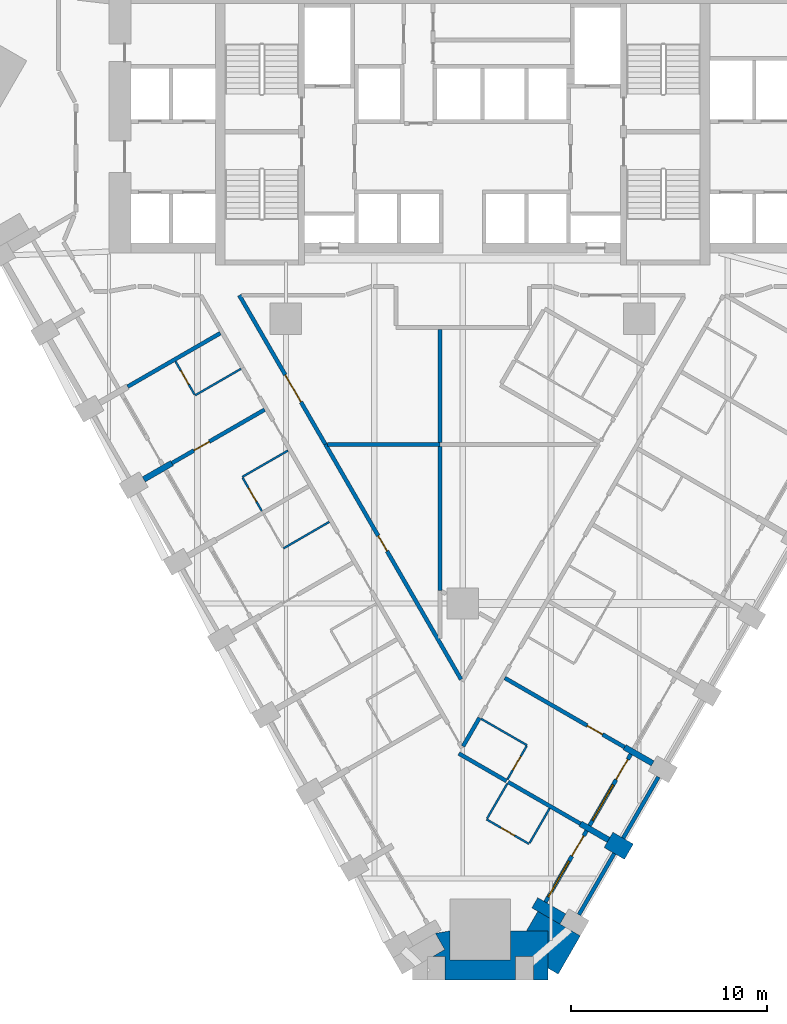
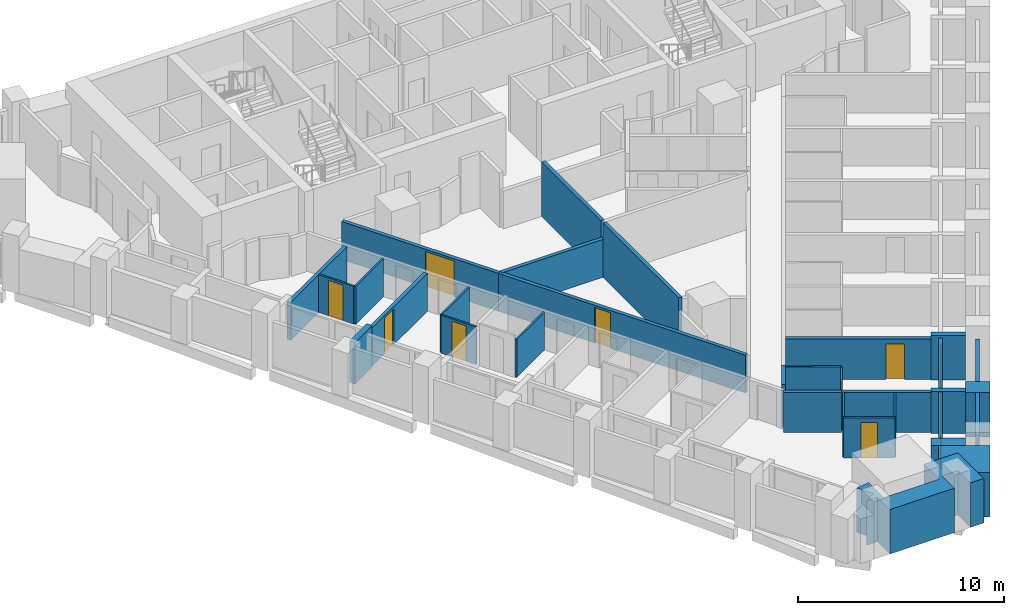
# One storey, part 4 of 12: 32 walls, 10 doors, 2 windows, 12 openings.
"""IFC4 building model written with IfcOpenShell, lengths in metres."""

from ifc_helpers import new_model, si_unit, direction, frame, frame_2d, origin, place, context, subcontext, project, spatial, polyline, rectangle, outline, extrude, material, layer, layer_set, type_object, element, fill, save


model = new_model("IFC4")

# Units and contexts
model_context = context("Model", 3, precision=1e-05, world=origin(), true_north=direction((0.0, 1.0)))
body_context = subcontext(model_context, "Body", "Model", "MODEL_VIEW")
ifc_project = project(units=[si_unit("LENGTHUNIT", "METRE"), si_unit("AREAUNIT", "SQUARE_METRE"), si_unit("VOLUMEUNIT", "CUBIC_METRE"), si_unit("PLANEANGLEUNIT", "RADIAN"), si_unit("MASSUNIT", "GRAM", prefix="KILO")], contexts=[model_context])

# Site, building, storey
site_placement = place(None, origin())
site = spatial("IfcSite", under=ifc_project, at=site_placement, CompositionType="ELEMENT")
building_placement = place(site_placement, origin())
building = spatial("IfcBuilding", under=site, at=building_placement, Name="Calabash Gate Tower", CompositionType="ELEMENT")
storey_placement = place(building_placement, frame((0.0, 0.0, 80.0)))
storey = spatial("IfcBuildingStorey", under=building, at=storey_placement, Name="L16", CompositionType="ELEMENT", Elevation=80.0)

# Walls
ifc_material_1 = material(Name="Terracotta brick masonry, exposed face", Category="masonry")
ifc_layer_1 = layer(ifc_material_1, 2.5)
ifc_layer_set_1 = layer_set([ifc_layer_1], Name="Brick corner mass wall 2500")
wall_type_1 = type_object("IfcWallType", Name="Brick corner mass wall 2500", PredefinedType="SOLIDWALL", material=ifc_layer_set_1)
wall_1_placement = place(storey_placement, origin())
element("IfcWall", 1, at=wall_1_placement, inside=storey, type_object=wall_type_1, Name="Brick corner pier S04 2bb", PredefinedType="SOLIDWALL", context=body_context, shape_type="SweptSolid", body=[
    extrude(outline(polyline([(-0.653076171875, -30.14599609375), (-0.653076171875, -28.673828125), (-1.388671875, -28.799560546875), (-0.912841796875, -29.6240234375), (-1.51904296875, -29.97412109375), (-0.903076171875, -29.97412109375), (-0.903076171875, -31.173828125), (2.697021484375, -31.173828125), (2.697021484375, -29.97412109375), (3.596923828125, -29.97412109375), (3.596923828125, -31.173828125), (4.34814453125, -31.173828125), (4.34814453125, -28.673828125), (2.447021484375, -28.673828125), (2.447021484375, -30.14599609375), (-0.653076171875, -30.14599609375)])), origin(), (0.0, 0.0, 1.0), 2.6298828125),
])
wall_2_placement = place(storey_placement, origin())
element("IfcWall", 2, at=wall_2_placement, inside=storey, type_object=wall_type_1, Name="Brick corner pier S04 2c", PredefinedType="SOLIDWALL", context=body_context, shape_type="SweptSolid", body=[
    extrude(outline(polyline([(5.99169921875, -28.9267578125), (3.8271484375, -27.676513671875), (3.251220703125, -28.673828125), (4.34814453125, -28.673828125), (4.34814453125, -30.573974609375), (4.86767578125, -30.8740234375), (5.99169921875, -28.9267578125)])), origin(), (0.0, 0.0, 1.0), 2.6298828125),
])
ifc_material_2 = material(Name="Terracotta brick masonry, exposed face", Category="masonry")
ifc_layer_2 = layer(ifc_material_2, 1.199951171875)
ifc_layer_set_2 = layer_set([ifc_layer_2], Name="Brick end wall 1200")
wall_type_2 = type_object("IfcWallType", Name="Brick end wall 1200", PredefinedType="SOLIDWALL", material=ifc_layer_set_2)
wall_3_placement = place(storey_placement, frame((8.467041015625, -24.6396484375, 0.0), z_axis=(0.0, 0.0, 1.0), x_axis=(-0.865955154139, 0.50012165622, 0.0)))
element("IfcWall", 3, at=wall_3_placement, inside=storey, type_object=wall_type_2, Name="Brick pier S04 SE2.1", PredefinedType="SOLIDWALL", context=body_context, shape_type="SweptSolid", body=[
    extrude(rectangle(XDim=1.199951171875, YDim=0.89990234375, at=frame_2d((0.60009765625, 0.0))), origin(), (0.0, 0.0, 1.0), 2.6298828125),
])
ifc_material_3 = material(Name="Terracotta brick masonry, exposed face", Category="masonry")
ifc_layer_3 = layer(ifc_material_3, 0.300048828125)
ifc_layer_set_3 = layer_set([ifc_layer_3], Name="Brick loggia cheek wall 300")
wall_type_3 = type_object("IfcWallType", Name="Brick loggia cheek wall 300", PredefinedType="SOLIDWALL", material=ifc_layer_set_3)
wall_4_placement = place(storey_placement, frame((-16.239501953125, -5.67724609375, 0.0), z_axis=(0.0, 0.0, 1.0), x_axis=(0.866040211805, 0.499974350878, 0.0)))
element("IfcWall", 4, at=wall_4_placement, inside=storey, type_object=wall_type_3, Name="Loggia cheek S04 SW0.3", PredefinedType="SOLIDWALL", context=body_context, shape_type="SweptSolid", body=[
    extrude(rectangle(XDim=1.64990234375, YDim=0.300048828125, at=frame_2d((0.824951171875, 0.0))), origin(), (0.0, 0.0, 1.0), 2.4736328125),
])
wall_5_placement = place(storey_placement, frame((5.1025390625, -28.066650390625, 0.0), z_axis=(0.0, 0.0, 1.0), x_axis=(-0.866003217194, 0.500038426333, 0.0)))
element("IfcWall", 5, at=wall_5_placement, inside=storey, type_object=wall_type_3, Name="Loggia cheek S04 SE2.0", PredefinedType="SOLIDWALL", context=body_context, shape_type="SweptSolid", body=[
    extrude(rectangle(XDim=1.649658203125, YDim=0.60009765625, at=frame_2d((0.82470703125, 0.0))), origin(), (0.0, 0.0, 1.0), 2.64990234375),
])
wall_6_placement = place(storey_placement, frame((7.427978515625, -24.03955078125, 0.0), z_axis=(0.0, 0.0, 1.0), x_axis=(-0.866040211805, 0.499974350878, 0.0)))
element("IfcWall", 6, at=wall_6_placement, inside=storey, type_object=wall_type_3, Name="Loggia cheek S04 SE2.1", PredefinedType="SOLIDWALL", context=body_context, shape_type="SweptSolid", body=[
    extrude(rectangle(XDim=1.64990234375, YDim=0.300048828125, at=frame_2d((0.824951171875, 0.0))), origin(), (0.0, 0.0, 1.0), 2.4736328125),
])
wall_7_placement = place(storey_placement, frame((9.677734375, -20.142578125, 0.0), z_axis=(0.0, 0.0, 1.0), x_axis=(-0.866003217194, 0.500038426333, 0.0)))
element("IfcWall", 7, at=wall_7_placement, inside=storey, type_object=wall_type_3, Name="Loggia cheek S04 SE2.2", PredefinedType="SOLIDWALL", context=body_context, shape_type="SweptSolid", body=[
    extrude(rectangle(XDim=1.649658203125, YDim=0.300048828125, at=frame_2d((0.82470703125, 0.0))), origin(), (0.0, 0.0, 1.0), 2.6279296875),
])
ifc_material_4 = material(Name="Gypsum board on steel studs, mineral wool", Category="steel")
ifc_layer_4 = layer(ifc_material_4, 0.10009765625)
ifc_layer_set_4 = layer_set([ifc_layer_4], Name="Partition 100 gypsum board")
wall_type_4 = type_object("IfcWallType", Name="Partition 100 gypsum board", PredefinedType="PARTITIONING", material=ifc_layer_set_4)
wall_8_placement = place(storey_placement, frame((3.408203125, -24.2021484375, 0.0), z_axis=(0.0, 0.0, 1.0), x_axis=(0.499303169309, 0.866427345551, 0.0)))
element("IfcWall", 8, at=wall_8_placement, inside=storey, type_object=wall_type_4, Name="Partition", PredefinedType="PARTITIONING", context=body_context, shape_type="SweptSolid", body=[
    extrude(rectangle(XDim=2.05029296875, YDim=0.10009765625, at=frame_2d((1.025146484375, 0.0))), origin(), (0.0, 0.0, 1.0), 2.384033203125),
])

# Wall, opening, door
wall_9_placement = place(storey_placement, frame((1.218017578125, -22.995361328125, 0.0), z_axis=(0.0, 0.0, 1.0), x_axis=(0.866047370643, -0.499961950354, 0.0)))
wall_9 = element("IfcWall", 9, at=wall_9_placement, inside=storey, type_object=wall_type_4, Name="Partition", PredefinedType="PARTITIONING", context=body_context, shape_type="SweptSolid", body=[
    extrude(rectangle(XDim=2.500244140625, YDim=0.10009765625, at=frame_2d((1.25, 0.0))), origin(), (0.0, 0.0, 1.0), 2.384033203125),
])
opening_1_placement = place(wall_9_placement, frame((0.85009765625, 0.0, 0.0)))
opening_1 = element("IfcOpeningElement", 10, at=opening_1_placement, cuts=wall_9, Name="Opening 15-17-031", PredefinedType="OPENING", context=body_context, shape_type="SweptSolid", body=[
    extrude(rectangle(XDim=0.800048828125, YDim=2.10009765625, at=frame_2d((0.39990234375, 1.050048828125))), frame((0.0, 0.06005859375, 0.0), z_axis=(0.0, -1.0, 0.0), x_axis=(1.0, 0.0, 0.0)), (0.0, 0.0, 1.0), 0.1201171875),
])
ifc_material_5 = material(Name="Painted timber door", Category="wood")
door_type_1 = type_object("IfcDoorType", Name="GD5 En-suite door 800x2100", OperationType="NOTDEFINED", PredefinedType="DOOR", material=ifc_material_5)
door_1_placement = place(opening_1_placement, origin())
door_1 = element("IfcDoor", 11, at=door_1_placement, inside=storey, type_object=door_type_1, Name="En-suite door", OperationType="SINGLE_SWING_RIGHT", OverallHeight=2.10009765625, OverallWidth=0.800048828125, PredefinedType="DOOR", context=body_context, shape_type="SweptSolid", body=[
    extrude(rectangle(XDim=0.800048828125, YDim=2.10009765625, at=frame_2d((0.39990234375, 1.050048828125))), frame((0.0, 0.02490234375, 0.0), z_axis=(0.0, -1.0, 0.0), x_axis=(1.0, 0.0, 0.0)), (0.0, 0.0, 1.0), 0.050048828125),
])
fill(opening_1, door_1)

# Wall
wall_10_placement = place(storey_placement, frame((1.2431640625, -22.9521484375, 0.0), z_axis=(0.0, 0.0, 1.0), x_axis=(0.500646589026, 0.865651773461, 0.0)))
element("IfcWall", 12, at=wall_10_placement, inside=storey, type_object=wall_type_4, Name="Partition", PredefinedType="PARTITIONING", context=body_context, shape_type="SweptSolid", body=[
    extrude(rectangle(XDim=2.050048828125, YDim=0.10009765625, at=frame_2d((1.02490234375, 0.0))), origin(), (0.0, 0.0, 1.0), 2.384033203125),
])

# Wall, opening, door
wall_11_placement = place(storey_placement, frame((2.2802734375, -20.952392578125, 0.0), z_axis=(0.0, 0.0, 1.0), x_axis=(0.500675951608, 0.865634791053, 0.0)))
wall_11 = element("IfcWall", 13, at=wall_11_placement, inside=storey, type_object=wall_type_4, Name="Partition", PredefinedType="PARTITIONING", context=body_context, shape_type="SweptSolid", body=[
    extrude(rectangle(XDim=1.949951171875, YDim=0.10009765625, at=frame_2d((0.97509765625, 0.0))), origin(), (0.0, 0.0, 1.0), 2.384033203125),
])
opening_2_placement = place(wall_11_placement, frame((0.550048828125, 0.0, 0.0)))
opening_2 = element("IfcOpeningElement", 14, at=opening_2_placement, cuts=wall_11, Name="Opening 15-17-014", PredefinedType="OPENING", context=body_context, shape_type="SweptSolid", body=[
    extrude(rectangle(XDim=0.800048828125, YDim=2.10009765625, at=frame_2d((0.39990234375, 1.050048828125))), frame((0.0, 0.06005859375, 0.0), z_axis=(0.0, -1.0, 0.0), x_axis=(1.0, 0.0, 0.0)), (0.0, 0.0, 1.0), 0.1201171875),
])
door_2_placement = place(opening_2_placement, origin())
door_2 = element("IfcDoor", 15, at=door_2_placement, inside=storey, type_object=door_type_1, Name="En-suite door", OperationType="SINGLE_SWING_LEFT", OverallHeight=2.10009765625, OverallWidth=0.800048828125, PredefinedType="DOOR", context=body_context, shape_type="SweptSolid", body=[
    extrude(rectangle(XDim=0.800048828125, YDim=2.10009765625, at=frame_2d((0.39990234375, 1.050048828125))), frame((0.0, 0.02490234375, 0.0), z_axis=(0.0, -1.0, 0.0), x_axis=(1.0, 0.0, 0.0)), (0.0, 0.0, 1.0), 0.050048828125),
])
fill(opening_2, door_2)

# Walls
wall_12_placement = place(storey_placement, frame((0.94287109375, -17.87255859375, 0.0), z_axis=(0.0, 0.0, 1.0), x_axis=(0.866339109022, -0.499456252518, 0.0)))
element("IfcWall", 16, at=wall_12_placement, inside=storey, type_object=wall_type_4, Name="Partition", PredefinedType="PARTITIONING", context=body_context, shape_type="SweptSolid", body=[
    extrude(rectangle(XDim=2.69970703125, YDim=0.10009765625, at=frame_2d((1.349853515625, 0.0))), origin(), (0.0, 0.0, 1.0), 2.384033203125),
])
wall_13_placement = place(storey_placement, frame((-9.12890625, -9.193115234375, 0.0), z_axis=(0.0, 0.0, 1.0), x_axis=(0.865671764241, 0.500612022024, 0.0)))
element("IfcWall", 17, at=wall_13_placement, inside=storey, type_object=wall_type_4, Name="Partition", PredefinedType="PARTITIONING", context=body_context, shape_type="SweptSolid", body=[
    extrude(rectangle(XDim=2.69970703125, YDim=0.10009765625, at=frame_2d((1.349853515625, 0.0))), origin(), (0.0, 0.0, 1.0), 2.24169921875),
])

# Wall, opening, door
wall_14_placement = place(storey_placement, frame((-11.2041015625, -5.59912109375, 0.0), z_axis=(0.0, 0.0, 1.0), x_axis=(0.500098182527, -0.865968710655, 0.0)))
wall_14 = element("IfcWall", 18, at=wall_14_placement, inside=storey, type_object=wall_type_4, Name="Partition", PredefinedType="PARTITIONING", context=body_context, shape_type="SweptSolid", body=[
    extrude(rectangle(XDim=1.94970703125, YDim=0.10009765625, at=frame_2d((0.974853515625, 0.0))), origin(), (0.0, 0.0, 1.0), 2.24169921875),
])
opening_3_placement = place(wall_14_placement, frame((0.60009765625, 0.0, 0.0)))
opening_3 = element("IfcOpeningElement", 19, at=opening_3_placement, cuts=wall_14, Name="Opening 15-17-004", PredefinedType="OPENING", context=body_context, shape_type="SweptSolid", body=[
    extrude(rectangle(XDim=0.800048828125, YDim=2.10009765625, at=frame_2d((0.39990234375, 1.050048828125))), frame((0.0, 0.06005859375, 0.0), z_axis=(0.0, -1.0, 0.0), x_axis=(1.0, 0.0, 0.0)), (0.0, 0.0, 1.0), 0.1201171875),
])
door_3_placement = place(opening_3_placement, origin())
door_3 = element("IfcDoor", 20, at=door_3_placement, inside=storey, type_object=door_type_1, Name="En-suite door", OperationType="SINGLE_SWING_RIGHT", OverallHeight=2.10009765625, OverallWidth=0.800048828125, PredefinedType="DOOR", context=body_context, shape_type="SweptSolid", body=[
    extrude(rectangle(XDim=0.800048828125, YDim=2.10009765625, at=frame_2d((0.39990234375, 1.050048828125))), frame((0.0, 0.02490234375, 0.0), z_axis=(0.0, -1.0, 0.0), x_axis=(1.0, 0.0, 0.0)), (0.0, 0.0, 1.0), 0.050048828125),
])
fill(opening_3, door_3)

# Walls
for number, where, z_axis, x_axis, name in (
    (21, (-11.22900390625, -5.5556640625, 0.0), (0.0, 0.0, 1.0), (0.866339109022, 0.499456252518, 0.0), "Partition"),
    (22, (-13.62890625, -1.398681640625, 0.0), (0.0, 0.0, 1.0), (0.86571095196, 0.500544251447, 0.0), "Partition"),
):
    element("IfcWall", number, at=place(storey_placement, frame(where, z_axis=z_axis, x_axis=x_axis)), inside=storey, type_object=wall_type_4, Name=name, PredefinedType="PARTITIONING", context=body_context, shape_type="SweptSolid", body=[
        extrude(rectangle(XDim=2.69970703125, YDim=0.10009765625, at=frame_2d((1.349853515625, 0.0))), origin(), (0.0, 0.0, 1.0), 2.24169921875),
    ])

# Wall, opening, door
wall_15_placement = place(storey_placement, frame((-14.627685546875, 0.333984375, 0.0), z_axis=(0.0, 0.0, 1.0), x_axis=(0.499317740681, -0.866418948224, 0.0)))
wall_15 = element("IfcWall", 23, at=wall_15_placement, inside=storey, type_object=wall_type_4, Name="Partition", PredefinedType="PARTITIONING", context=body_context, shape_type="SweptSolid", body=[
    extrude(rectangle(XDim=1.949951171875, YDim=0.10009765625, at=frame_2d((0.97509765625, 0.0))), origin(), (0.0, 0.0, 1.0), 2.24169921875),
])
opening_4_placement = place(wall_15_placement, frame((0.550048828125, 0.0, 0.0)))
opening_4 = element("IfcOpeningElement", 24, at=opening_4_placement, cuts=wall_15, Name="Opening 15-17-002", PredefinedType="OPENING", context=body_context, shape_type="SweptSolid", body=[
    extrude(rectangle(XDim=0.800048828125, YDim=2.10009765625, at=frame_2d((0.39990234375, 1.050048828125))), frame((0.0, 0.06005859375, 0.0), z_axis=(0.0, -1.0, 0.0), x_axis=(1.0, 0.0, 0.0)), (0.0, 0.0, 1.0), 0.1201171875),
])
door_4_placement = place(opening_4_placement, origin())
door_4 = element("IfcDoor", 25, at=door_4_placement, inside=storey, type_object=door_type_1, Name="En-suite door", OperationType="SINGLE_SWING_LEFT", OverallHeight=2.10009765625, OverallWidth=0.800048828125, PredefinedType="DOOR", context=body_context, shape_type="SweptSolid", body=[
    extrude(rectangle(XDim=0.800048828125, YDim=2.10009765625, at=frame_2d((0.39990234375, 1.050048828125))), frame((0.0, 0.02490234375, 0.0), z_axis=(0.0, -1.0, 0.0), x_axis=(1.0, 0.0, 0.0)), (0.0, 0.0, 1.0), 0.050048828125),
])
fill(opening_4, door_4)

# Walls
ifc_material_6 = material(Name="Gypsum board on steel studs, mineral wool", Category="steel")
ifc_layer_5 = layer(ifc_material_6, 0.199951171875)
ifc_layer_set_5 = layer_set([ifc_layer_5], Name="Partition 200 gypsum board EI 60")
wall_type_5 = type_object("IfcWallType", Name="Partition 200 gypsum board EI 60", PredefinedType="PARTITIONING", material=ifc_layer_set_5)
wall_16_placement = place(storey_placement, frame((2.3173828125, -21.09130859375, 0.0), z_axis=(0.0, 0.0, 1.0), x_axis=(0.866014341725, -0.50001915956, 0.0)))
element("IfcWall", 26, at=wall_16_placement, inside=storey, type_object=wall_type_5, Name="Partition", PredefinedType="PARTITIONING", context=body_context, shape_type="SweptSolid", body=[
    extrude(rectangle(XDim=4.249755859375, YDim=0.199951171875, at=frame_2d((2.125, 0.0))), origin(), (0.0, 0.0, 1.0), 2.384033203125),
])
wall_17_placement = place(storey_placement, frame((-0.193359375, -19.64013671875, 0.0), z_axis=(0.0, 0.0, 1.0), x_axis=(0.866036131362, -0.49998141883, 0.0)))
element("IfcWall", 27, at=wall_17_placement, inside=storey, type_object=wall_type_5, Name="Partition", PredefinedType="PARTITIONING", context=body_context, shape_type="SweptSolid", body=[
    extrude(rectangle(XDim=2.8017578125, YDim=0.199951171875, at=frame_2d((1.40087890625, 0.0))), origin(), (0.0, 0.0, 1.0), 2.384033203125),
])
wall_18_placement = place(storey_placement, frame((0.02099609375, -19.268798828125, 0.0), z_axis=(0.0, 0.0, 1.0), x_axis=(0.501053540398, 0.865416286913, 0.0)))
element("IfcWall", 28, at=wall_18_placement, inside=storey, type_object=wall_type_5, Name="Partition", PredefinedType="PARTITIONING", context=body_context, shape_type="SweptSolid", body=[
    extrude(rectangle(XDim=1.671875, YDim=0.199951171875, at=frame_2d((0.8359375, 0.0))), origin(), (0.0, 0.0, 1.0), 2.4736328125),
])

# Wall, opening, door
wall_19_placement = place(storey_placement, frame((2.14453125, -15.791015625, 0.0), z_axis=(0.0, 0.0, 1.0), x_axis=(0.865906406618, -0.500206052519, 0.0)))
wall_19 = element("IfcWall", 29, at=wall_19_placement, inside=storey, type_object=wall_type_5, Name="Partition", PredefinedType="PARTITIONING", context=body_context, shape_type="SweptSolid", body=[
    extrude(rectangle(XDim=7.0498046875, YDim=0.199951171875, at=frame_2d((3.52490234375, 0.0))), origin(), (0.0, 0.0, 1.0), 2.384033203125),
])
opening_5_placement = place(wall_19_placement, frame((4.849853515625, 0.0, 0.0)))
opening_5 = element("IfcOpeningElement", 30, at=opening_5_placement, cuts=wall_19, Name="Opening 15-17-017", PredefinedType="OPENING", context=body_context, shape_type="SweptSolid", body=[
    extrude(rectangle(XDim=0.89990234375, YDim=2.10009765625, at=frame_2d((0.449951171875, 1.050048828125))), frame((0.0, 0.10986328125, 0.0), z_axis=(0.0, -1.0, 0.0), x_axis=(1.0, 0.0, 0.0)), (0.0, 0.0, 1.0), 0.219970703125),
])
ifc_material_7 = material(Name="Steel fire door set with fire-resisting glazing", Category="steel")
door_type_2 = type_object("IfcDoorType", Name="GD4 Connecting door 900x2100", OperationType="NOTDEFINED", PredefinedType="DOOR", material=ifc_material_7)
door_5_placement = place(opening_5_placement, origin())
door_5 = element("IfcDoor", 31, at=door_5_placement, inside=storey, type_object=door_type_2, Name="Connecting door", OperationType="SINGLE_SWING_RIGHT", OverallHeight=2.10009765625, OverallWidth=0.89990234375, PredefinedType="DOOR", context=body_context, shape_type="SweptSolid", body=[
    extrude(rectangle(XDim=0.89990234375, YDim=2.10009765625, at=frame_2d((0.449951171875, 1.050048828125))), frame((0.0, 0.02490234375, 0.0), z_axis=(0.0, -1.0, 0.0), x_axis=(1.0, 0.0, 0.0)), (0.0, 0.0, 1.0), 0.050048828125),
])
fill(opening_5, door_5)

# Wall
wall_20_placement = place(storey_placement, frame((-1.16162109375, -11.327392578125, 0.0), z_axis=(0.0, 0.0, 1.0), x_axis=(0.0, 1.0, 0.0)))
element("IfcWall", 32, at=wall_20_placement, inside=storey, type_object=wall_type_5, Name="Partition", PredefinedType="PARTITIONING", context=body_context, shape_type="SweptSolid", body=[
    extrude(rectangle(XDim=7.3349609375, YDim=0.199951171875, at=frame_2d((3.66748046875, 0.0))), origin(), (0.0, 0.0, 1.0), 3.22998046875),
])

# Wall, opening, door
wall_21_placement = place(storey_placement, frame((-6.99072265625, -3.892578125, 0.0), z_axis=(0.0, 0.0, 1.0), x_axis=(0.499865112403, -0.86610326717, 0.0)))
wall_21 = element("IfcWall", 33, at=wall_21_placement, inside=storey, type_object=wall_type_5, Name="Partition", PredefinedType="PARTITIONING", context=body_context, shape_type="SweptSolid", body=[
    extrude(rectangle(XDim=13.826904296875, YDim=0.199951171875, at=frame_2d((6.91357421875, 0.0))), origin(), (0.0, 0.0, 1.0), 2.24169921875),
])
opening_6_placement = place(wall_21_placement, frame((5.377197265625, 0.0, 0.0)))
opening_6 = element("IfcOpeningElement", 34, at=opening_6_placement, cuts=wall_21, Name="Opening 15-17-028", PredefinedType="OPENING", context=body_context, shape_type="SweptSolid", body=[
    extrude(rectangle(XDim=0.89990234375, YDim=2.10009765625, at=frame_2d((0.449951171875, 1.050048828125))), frame((0.0, 0.10986328125, 0.0), z_axis=(0.0, -1.0, 0.0), x_axis=(1.0, 0.0, 0.0)), (0.0, 0.0, 1.0), 0.219970703125),
])
ifc_material_8 = material(Name="Steel fire door set with fire-resisting glazing", Category="steel")
door_type_3 = type_object("IfcDoorType", Name="SD3 Store door 900x2100", OperationType="NOTDEFINED", PredefinedType="DOOR", material=ifc_material_8)
door_6_placement = place(opening_6_placement, origin())
door_6 = element("IfcDoor", 35, at=door_6_placement, inside=storey, type_object=door_type_3, Name="Store door", OperationType="SINGLE_SWING_LEFT", OverallHeight=2.10009765625, OverallWidth=0.89990234375, PredefinedType="DOOR", context=body_context, shape_type="SweptSolid", body=[
    extrude(rectangle(XDim=0.89990234375, YDim=2.10009765625, at=frame_2d((0.449951171875, 1.050048828125))), frame((0.0, 0.02490234375, 0.0), z_axis=(0.0, -1.0, 0.0), x_axis=(1.0, 0.0, 0.0)), (0.0, 0.0, 1.0), 0.050048828125),
])
fill(opening_6, door_6)

# Walls
wall_22_placement = place(storey_placement, frame((-6.890869140625, -3.892578125, 0.0), z_axis=(0.0, 0.0, 1.0), x_axis=(1.0, 0.0, 0.0)))
element("IfcWall", 36, at=wall_22_placement, inside=storey, type_object=wall_type_5, Name="Partition", PredefinedType="PARTITIONING", context=body_context, shape_type="SweptSolid", body=[
    extrude(rectangle(XDim=5.727294921875, YDim=0.199951171875, at=frame_2d((2.86376953125, 0.0))), origin(), (0.0, 0.0, 1.0), 2.24169921875),
])
wall_23_placement = place(storey_placement, frame((-1.16162109375, -3.79052734375, 0.0), z_axis=(0.0, 0.0, 1.0), x_axis=(0.0, 1.0, 0.0)))
element("IfcWall", 37, at=wall_23_placement, inside=storey, type_object=wall_type_5, Name="Partition", PredefinedType="PARTITIONING", context=body_context, shape_type="SweptSolid", body=[
    extrude(rectangle(XDim=5.742919921875, YDim=0.199951171875, at=frame_2d((2.87158203125, 0.0))), origin(), (0.0, 0.0, 1.0), 3.22998046875),
])

# Wall, opening, door
wall_24_placement = place(storey_placement, frame((-14.810546875, -4.852294921875, 0.0), z_axis=(0.0, 0.0, 1.0), x_axis=(0.866193043817, 0.499709526468, 0.0)))
wall_24 = element("IfcWall", 38, at=wall_24_placement, inside=storey, type_object=wall_type_5, Name="Partition", PredefinedType="PARTITIONING", context=body_context, shape_type="SweptSolid", body=[
    extrude(rectangle(XDim=5.449951171875, YDim=0.199951171875, at=frame_2d((2.72509765625, 0.0))), origin(), (0.0, 0.0, 1.0), 2.24169921875),
])
opening_7_placement = place(wall_24_placement, frame((1.300048828125, 0.0, 0.0)))
opening_7 = element("IfcOpeningElement", 39, at=opening_7_placement, cuts=wall_24, Name="Opening 15-17-005", PredefinedType="OPENING", context=body_context, shape_type="SweptSolid", body=[
    extrude(rectangle(XDim=0.89990234375, YDim=2.10009765625, at=frame_2d((0.449951171875, 1.050048828125))), frame((0.0, 0.10986328125, 0.0), z_axis=(0.0, -1.0, 0.0), x_axis=(1.0, 0.0, 0.0)), (0.0, 0.0, 1.0), 0.219970703125),
])
door_7_placement = place(opening_7_placement, origin())
door_7 = element("IfcDoor", 40, at=door_7_placement, inside=storey, type_object=door_type_2, Name="Connecting door", OperationType="SINGLE_SWING_RIGHT", OverallHeight=2.10009765625, OverallWidth=0.89990234375, PredefinedType="DOOR", context=body_context, shape_type="SweptSolid", body=[
    extrude(rectangle(XDim=0.89990234375, YDim=2.10009765625, at=frame_2d((0.449951171875, 1.050048828125))), frame((0.0, 0.02490234375, 0.0), z_axis=(0.0, -1.0, 0.0), x_axis=(1.0, 0.0, 0.0)), (0.0, 0.0, 1.0), 0.050048828125),
])
fill(opening_7, door_7)

# Wall
wall_25_placement = place(storey_placement, frame((-17.060791015625, -0.95458984375, 0.0), z_axis=(0.0, 0.0, 1.0), x_axis=(0.866031107881, 0.499990120084, 0.0)))
element("IfcWall", 41, at=wall_25_placement, inside=storey, type_object=wall_type_5, Name="Partition", PredefinedType="PARTITIONING", context=body_context, shape_type="SweptSolid", body=[
    extrude(rectangle(XDim=5.44775390625, YDim=0.199951171875, at=frame_2d((2.723876953125, 0.0))), origin(), (0.0, 0.0, 1.0), 2.24169921875),
])

# Wall, opening, door
wall_26_placement = place(storey_placement, frame((-11.376220703125, 3.69970703125, 0.0), z_axis=(0.0, 0.0, 1.0), x_axis=(0.500182929981, -0.865919763347, 0.0)))
wall_26 = element("IfcWall", 42, at=wall_26_placement, inside=storey, type_object=wall_type_5, Name="Partition", PredefinedType="PARTITIONING", context=body_context, shape_type="SweptSolid", body=[
    extrude(rectangle(XDim=8.765380859375, YDim=0.199951171875, at=frame_2d((4.3828125, 0.0))), origin(), (0.0, 0.0, 1.0), 2.24169921875),
])
opening_8_placement = place(wall_26_placement, frame((4.68310546875, 0.0, 0.0)))
opening_8 = element("IfcOpeningElement", 43, at=opening_8_placement, cuts=wall_26, Name="Opening 15-17-027", PredefinedType="OPENING", context=body_context, shape_type="SweptSolid", body=[
    extrude(rectangle(XDim=1.60009765625, YDim=2.10009765625, at=frame_2d((0.800048828125, 1.050048828125))), frame((0.0, 0.10986328125, 0.0), z_axis=(0.0, -1.0, 0.0), x_axis=(1.0, 0.0, 0.0)), (0.0, 0.0, 1.0), 0.219970703125),
])
ifc_material_9 = material(Name="Steel fire door set with fire-resisting glazing", Category="steel")
door_type_4 = type_object("IfcDoorType", Name="LD1 Lounge double door 1600x2100", OperationType="NOTDEFINED", PredefinedType="DOOR", material=ifc_material_9)
door_8_placement = place(opening_8_placement, origin())
door_8 = element("IfcDoor", 44, at=door_8_placement, inside=storey, type_object=door_type_4, Name="Lounge double door", OperationType="DOUBLE_DOOR_SINGLE_SWING", OverallHeight=2.10009765625, OverallWidth=1.60009765625, PredefinedType="DOOR", context=body_context, shape_type="SweptSolid", body=[
    extrude(rectangle(XDim=1.60009765625, YDim=2.10009765625, at=frame_2d((0.800048828125, 1.050048828125))), frame((0.0, 0.02490234375, 0.0), z_axis=(0.0, -1.0, 0.0), x_axis=(1.0, 0.0, 0.0)), (0.0, 0.0, 1.0), 0.050048828125),
])
fill(opening_8, door_8)

# Walls
ifc_material_10 = material(Name="Terracotta brick masonry, perforated", Category="masonry")
ifc_layer_6 = layer(ifc_material_10, 0.199951171875)
ifc_layer_set_6 = layer_set([ifc_layer_6], Name="Terracotta jaali screen B")
wall_type_6 = type_object("IfcWallType", Name="Terracotta jaali screen B", PredefinedType="SOLIDWALL", material=ifc_layer_set_6)
wall_27_placement = place(storey_placement, frame((5.92236328125, -27.84716796875, 0.0), z_axis=(0.0, 0.0, 1.0), x_axis=(0.500012057535, 0.866018442252, 0.0)))
element("IfcWall", 45, at=wall_27_placement, inside=storey, type_object=wall_type_6, Name="SCREEN B S04 SE2.1", PredefinedType="SOLIDWALL", context=body_context, shape_type="SweptSolid", body=[
    extrude(rectangle(XDim=3.60009765625, YDim=0.199951171875, at=frame_2d((1.800048828125, 0.0))), origin(), (0.0, 0.0, 1.0), 2.6298828125),
])
wall_28_placement = place(storey_placement, origin())
element("IfcWall", 46, at=wall_28_placement, inside=storey, type_object=wall_type_6, Name="SCREEN B S04 SE2.2", PredefinedType="SOLIDWALL", context=body_context, shape_type="SweptSolid", body=[
    extrude(outline(polyline([(8.259033203125, -24.0), (10.058837890625, -20.8828125), (9.885498046875, -20.78271484375), (8.0859375, -23.89990234375), (8.259033203125, -24.0)])), origin(), (0.0, 0.0, 1.0), 2.6298828125),
])

# Wall, openings, door, window
ifc_material_11 = material(Name="Aluminium framed window wall with insulated spandrel", Category="aluminium")
ifc_layer_7 = layer(ifc_material_11, 0.199951171875)
ifc_layer_set_7 = layer_set([ifc_layer_7], Name="Window wall 200")
wall_type_7 = type_object("IfcWallType", Name="Window wall 200", PredefinedType="ELEMENTEDWALL", material=ifc_layer_set_7)
wall_29_placement = place(storey_placement, frame((4.213623046875, -27.206787109375, 0.0), z_axis=(0.0, 0.0, 1.0), x_axis=(0.500027713859, 0.866009402589, 0.0)))
wall_29 = element("IfcWall", 47, at=wall_29_placement, inside=storey, type_object=wall_type_7, Name="Window wall S04 SE2.1", PredefinedType="ELEMENTEDWALL", context=body_context, shape_type="SweptSolid", body=[
    extrude(rectangle(XDim=4.199951171875, YDim=0.199951171875, at=frame_2d((2.10009765625, 0.0))), origin(), (0.0, 0.0, 1.0), 2.4501953125),
])
opening_9_placement = place(wall_29_placement, frame((0.300048828125, 0.0, 0.60009765625)))
opening_9 = element("IfcOpeningElement", 48, at=opening_9_placement, cuts=wall_29, Name="Opening HW1L-1750", PredefinedType="OPENING", context=body_context, shape_type="SweptSolid", body=[
    extrude(rectangle(XDim=2.10009765625, YDim=1.75, at=frame_2d((1.050048828125, 0.875))), frame((0.0, 0.10986328125, 0.0), z_axis=(0.0, -1.0, 0.0), x_axis=(1.0, 0.0, 0.0)), (0.0, 0.0, 1.0), 0.219970703125),
])
opening_10_placement = place(wall_29_placement, frame((2.699951171875, 0.0, 0.0)))
opening_10 = element("IfcOpeningElement", 49, at=opening_10_placement, cuts=wall_29, Name="Opening H4-018", PredefinedType="OPENING", context=body_context, shape_type="SweptSolid", body=[
    extrude(rectangle(XDim=1.199951171875, YDim=2.35009765625, at=frame_2d((0.60009765625, 1.175048828125))), frame((0.0, 0.10986328125, 0.0), z_axis=(0.0, -1.0, 0.0), x_axis=(1.0, 0.0, 0.0)), (0.0, 0.0, 1.0), 0.219970703125),
])
ifc_material_12 = material(Name="Anodised aluminium frame, bronze finish, impact-rated laminated clear glazing", Category="aluminium")
door_type_5 = type_object("IfcDoorType", Name="Loggia door DH1L-2350 1200x2350", OperationType="SLIDING_TO_LEFT", PredefinedType="DOOR", material=ifc_material_12)
door_9_placement = place(opening_10_placement, origin())
door_9 = element("IfcDoor", 50, at=door_9_placement, inside=storey, type_object=door_type_5, Name="Loggia door S04 SE2.1", OperationType="SINGLE_SWING_LEFT", OverallHeight=2.35009765625, OverallWidth=1.199951171875, PredefinedType="DOOR", context=body_context, shape_type="SweptSolid", body=[
    extrude(rectangle(XDim=1.199951171875, YDim=2.35009765625, at=frame_2d((0.60009765625, 1.175048828125))), frame((0.0, 0.02490234375, 0.0), z_axis=(0.0, -1.0, 0.0), x_axis=(1.0, 0.0, 0.0)), (0.0, 0.0, 1.0), 0.050048828125),
])
fill(opening_10, door_9)
ifc_material_13 = material(Name="Anodised aluminium frame, bronze finish, impact-rated laminated clear glazing", Category="aluminium")
window_type_1 = type_object("IfcWindowType", Name="Window HW1L 2100x1750", PartitioningType="DOUBLE_PANEL_VERTICAL", PredefinedType="WINDOW", material=ifc_material_13)
window_1_placement = place(opening_9_placement, origin())
window_1 = element("IfcWindow", 51, at=window_1_placement, inside=storey, type_object=window_type_1, Name="Window HW1 S04 SE2.1", OverallHeight=1.75, OverallWidth=2.10009765625, PartitioningType="SINGLE_PANEL", PredefinedType="WINDOW", context=body_context, shape_type="SweptSolid", body=[
    extrude(rectangle(XDim=2.10009765625, YDim=1.75, at=frame_2d((1.050048828125, 0.875))), frame((0.0, 0.030029296875, 0.0), z_axis=(0.0, -1.0, 0.0), x_axis=(1.0, 0.0, 0.0)), (0.0, 0.0, 1.0), 0.06005859375),
])
fill(opening_9, window_1)

wall_30_placement = place(storey_placement, frame((6.463623046875, -23.309814453125, 0.0), z_axis=(0.0, 0.0, 1.0), x_axis=(0.500002543286, 0.866023935413, 0.0)))
wall_30 = element("IfcWall", 52, at=wall_30_placement, inside=storey, type_object=wall_type_7, Name="Window wall S04 SE2.2", PredefinedType="ELEMENTEDWALL", context=body_context, shape_type="SweptSolid", body=[
    extrude(rectangle(XDim=4.2001953125, YDim=0.199951171875, at=frame_2d((2.10009765625, 0.0))), origin(), (0.0, 0.0, 1.0), 2.4736328125),
])
opening_11_placement = place(wall_30_placement, frame((0.300048828125, 0.0, 0.60009765625)))
opening_11 = element("IfcOpeningElement", 53, at=opening_11_placement, cuts=wall_30, Name="Opening HW1L-1770", PredefinedType="OPENING", context=body_context, shape_type="SweptSolid", body=[
    extrude(rectangle(XDim=2.10009765625, YDim=1.77001953125, at=frame_2d((1.050048828125, 0.885009765625))), frame((0.0, 0.10986328125, 0.0), z_axis=(0.0, -1.0, 0.0), x_axis=(1.0, 0.0, 0.0)), (0.0, 0.0, 1.0), 0.219970703125),
])
opening_12_placement = place(wall_30_placement, frame((2.699951171875, 0.0, 0.0)))
opening_12 = element("IfcOpeningElement", 54, at=opening_12_placement, cuts=wall_30, Name="Opening H4-019", PredefinedType="OPENING", context=body_context, shape_type="SweptSolid", body=[
    extrude(rectangle(XDim=1.199951171875, YDim=2.3701171875, at=frame_2d((0.60009765625, 1.18505859375))), frame((0.0, 0.10986328125, 0.0), z_axis=(0.0, -1.0, 0.0), x_axis=(1.0, 0.0, 0.0)), (0.0, 0.0, 1.0), 0.219970703125),
])
ifc_material_14 = material(Name="Anodised aluminium frame, bronze finish, impact-rated laminated clear glazing", Category="aluminium")
door_type_6 = type_object("IfcDoorType", Name="Loggia door DH1L-2370 1200x2370", OperationType="SLIDING_TO_LEFT", PredefinedType="DOOR", material=ifc_material_14)
door_10_placement = place(opening_12_placement, origin())
door_10 = element("IfcDoor", 55, at=door_10_placement, inside=storey, type_object=door_type_6, Name="Loggia door S04 SE2.2", OperationType="SINGLE_SWING_LEFT", OverallHeight=2.3701171875, OverallWidth=1.199951171875, PredefinedType="DOOR", context=body_context, shape_type="SweptSolid", body=[
    extrude(rectangle(XDim=1.199951171875, YDim=2.3701171875, at=frame_2d((0.60009765625, 1.18505859375))), frame((0.0, 0.02490234375, 0.0), z_axis=(0.0, -1.0, 0.0), x_axis=(1.0, 0.0, 0.0)), (0.0, 0.0, 1.0), 0.050048828125),
])
fill(opening_12, door_10)
ifc_material_15 = material(Name="Anodised aluminium frame, bronze finish, impact-rated laminated clear glazing", Category="aluminium")
window_type_2 = type_object("IfcWindowType", Name="Window HW1L 2100x1770", PartitioningType="DOUBLE_PANEL_VERTICAL", PredefinedType="WINDOW", material=ifc_material_15)
window_2_placement = place(opening_11_placement, origin())
window_2 = element("IfcWindow", 56, at=window_2_placement, inside=storey, type_object=window_type_2, Name="Window HW1 S04 SE2.2", OverallHeight=1.77001953125, OverallWidth=2.10009765625, PartitioningType="SINGLE_PANEL", PredefinedType="WINDOW", context=body_context, shape_type="SweptSolid", body=[
    extrude(rectangle(XDim=2.10009765625, YDim=1.77001953125, at=frame_2d((1.050048828125, 0.885009765625))), frame((0.0, 0.030029296875, 0.0), z_axis=(0.0, -1.0, 0.0), x_axis=(1.0, 0.0, 0.0)), (0.0, 0.0, 1.0), 0.06005859375),
])
fill(opening_11, window_2)

save(model, "model.ifc")
